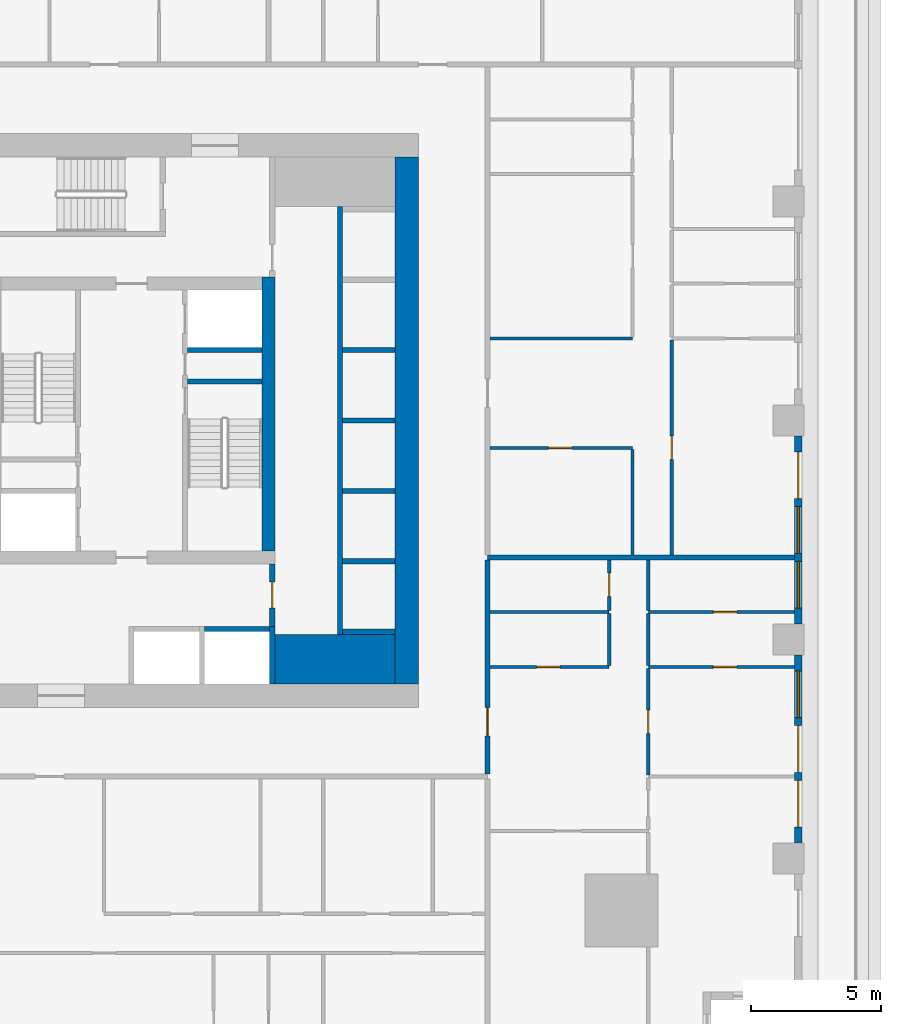
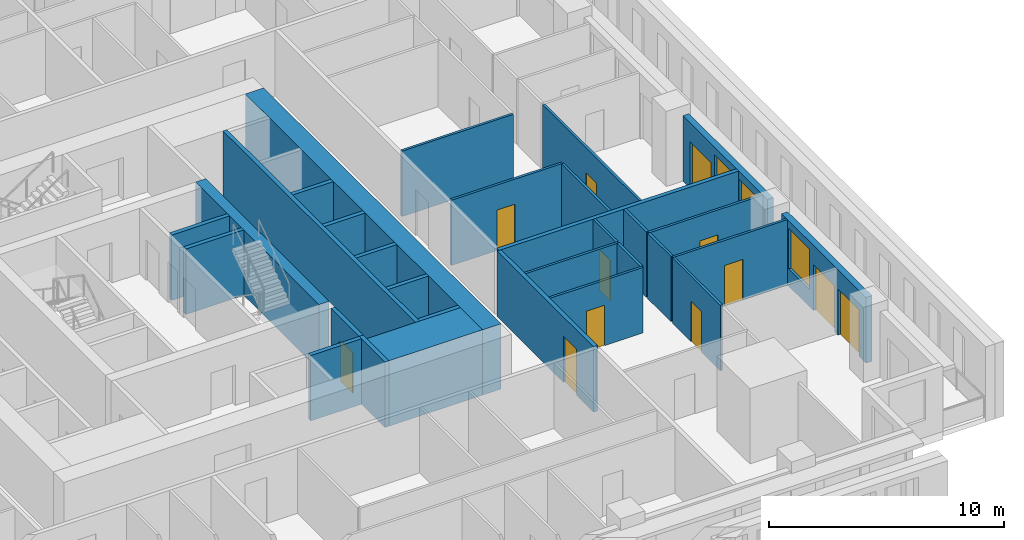
# One storey, part 5 of 14: 31 walls, 12 doors, 3 windows, 15 openings.
"""IFC4 building model written with IfcOpenShell, lengths in metres."""

from ifc_helpers import new_model, si_unit, direction, frame, frame_2d, origin, place, context, subcontext, project, spatial, rectangle, extrude, material, layer, layer_set, type_object, element, fill, save


model = new_model("IFC4")

# Units and contexts
model_context = context("Model", 3, precision=1e-05, world=origin(), true_north=direction((0.0, 1.0)))
body_context = subcontext(model_context, "Body", "Model", "MODEL_VIEW")
ifc_project = project(units=[si_unit("LENGTHUNIT", "METRE"), si_unit("AREAUNIT", "SQUARE_METRE"), si_unit("VOLUMEUNIT", "CUBIC_METRE"), si_unit("PLANEANGLEUNIT", "RADIAN"), si_unit("MASSUNIT", "GRAM", prefix="KILO")], contexts=[model_context])

# Site, building, storey
site_placement = place(None, origin())
site = spatial("IfcSite", under=ifc_project, at=site_placement, CompositionType="ELEMENT")
building_placement = place(site_placement, origin())
building = spatial("IfcBuilding", under=site, at=building_placement, Name="Khepri Terraces", CompositionType="ELEMENT")
storey_placement = place(building_placement, frame((0.0, 0.0, 122.10009765625)))
storey = spatial("IfcBuildingStorey", under=building, at=storey_placement, Name="L29", CompositionType="ELEMENT", Elevation=122.10009765625)

# Walls
ifc_material_1 = material(Name="Concrete C70/85", Category="concrete")
ifc_layer_1 = layer(ifc_material_1, 1.89990234375, Name="Concrete C70/85", Category="concrete")
ifc_layer_set_1 = layer_set([ifc_layer_1], Name="Concrete C70/85")
wall_type_1 = type_object("IfcWallType", Name="Core wall 1900 C70/85", PredefinedType="SHEAR", material=ifc_layer_set_1)
wall_1_placement = place(storey_placement, frame((5.5, -9.14990234375, 0.0), z_axis=(0.0, 0.0, 1.0), x_axis=(1.0, 0.0, 0.0)))
element("IfcWall", 1, at=wall_1_placement, inside=storey, type_object=wall_type_1, Name="Core wall PR02 L29", PredefinedType="SHEAR", context=body_context, shape_type="SweptSolid", body=[
    extrude(rectangle(XDim=4.60009765625, YDim=1.89990234375, at=frame_2d((2.300048828125, 0.0))), origin(), (0.0, 0.0, 1.0), 3.39990234375),
])
ifc_layer_2 = layer(ifc_material_1, 0.199951171875, Name="Concrete C70/85", Category="concrete")
ifc_layer_set_2 = layer_set([ifc_layer_2], Name="Concrete C70/85")
wall_type_2 = type_object("IfcWallType", Name="Core wall 200 C70/85", PredefinedType="SHEAR", material=ifc_layer_set_2)
wall_2_placement = place(storey_placement, frame((2.14990234375, 1.5, 0.0), z_axis=(0.0, 0.0, 1.0), x_axis=(1.0, 0.0, 0.0)))
element("IfcWall", 2, at=wall_2_placement, inside=storey, type_object=wall_type_2, Name="Core wall ST04 L29", PredefinedType="SHEAR", context=body_context, shape_type="SweptSolid", body=[
    extrude(rectangle(XDim=2.85009765625, YDim=0.199951171875, at=frame_2d((1.425048828125, 0.0))), origin(), (0.0, 0.0, 1.0), 3.39990234375),
])
wall_3_placement = place(storey_placement, frame((5.39990234375, -10.10009765625, 0.0), z_axis=(0.0, 0.0, 1.0), x_axis=(0.0, 1.0, 0.0)))
element("IfcWall", 3, at=wall_3_placement, inside=storey, type_object=wall_type_2, Name="Core wall SH03 L29", PredefinedType="SHEAR", context=body_context, shape_type="SweptSolid", body=[
    extrude(rectangle(XDim=2.2001953125, YDim=0.199951171875, at=frame_2d((1.10009765625, 0.0))), origin(), (0.0, 0.0, 1.0), 3.39990234375),
])
wall_4_placement = place(storey_placement, frame((8.0, -8.199951171875, 0.0), z_axis=(0.0, 0.0, 1.0), x_axis=(0.0, 1.0, 0.0)))
element("IfcWall", 4, at=wall_4_placement, inside=storey, type_object=wall_type_2, Name="Core wall SH05 L29", PredefinedType="SHEAR", context=body_context, shape_type="SweptSolid", body=[
    extrude(rectangle(XDim=16.39990234375, YDim=0.199951171875, at=frame_2d((8.199951171875, 0.0))), origin(), (0.0, 0.0, 1.0), 3.39990234375),
])
wall_5_placement = place(storey_placement, frame((8.10009765625, -8.10009765625, 0.0), z_axis=(0.0, 0.0, 1.0), x_axis=(1.0, 0.0, 0.0)))
element("IfcWall", 5, at=wall_5_placement, inside=storey, type_object=wall_type_2, Name="Core wall SH06 L29", PredefinedType="SHEAR", context=body_context, shape_type="SweptSolid", body=[
    extrude(rectangle(XDim=2.0, YDim=0.199951171875, at=frame_2d((1.0, 0.0))), origin(), (0.0, 0.0, 1.0), 3.39990234375),
])
wall_6_placement = place(storey_placement, frame((2.800048828125, -8.0, 0.0), z_axis=(0.0, 0.0, 1.0), x_axis=(1.0, 0.0, 0.0)))
element("IfcWall", 6, at=wall_6_placement, inside=storey, type_object=wall_type_2, Name="Core wall SH08 L29", PredefinedType="SHEAR", context=body_context, shape_type="SweptSolid", body=[
    extrude(rectangle(XDim=2.5, YDim=0.199951171875, at=frame_2d((1.25, 0.0))), origin(), (0.0, 0.0, 1.0), 3.39990234375),
])
for number, where, z_axis, x_axis, name in (
    (7, (8.10009765625, -5.39990234375, 0.0), (0.0, 0.0, 1.0), (1.0, 0.0, 0.0), "Core wall SH11 L29"),
    (8, (8.10009765625, -2.699951171875, 0.0), (0.0, 0.0, 1.0), (1.0, 0.0, 0.0), "Core wall SH15 L29"),
    (9, (8.10009765625, 0.0, 0.0), (0.0, 0.0, 1.0), (1.0, 0.0, 0.0), "Core wall SH17 L29"),
):
    element("IfcWall", number, at=place(storey_placement, frame(where, z_axis=z_axis, x_axis=x_axis)), inside=storey, type_object=wall_type_2, Name=name, PredefinedType="SHEAR", context=body_context, shape_type="SweptSolid", body=[
        extrude(rectangle(XDim=2.0, YDim=0.199951171875, at=frame_2d((1.0, 0.0))), origin(), (0.0, 0.0, 1.0), 3.39990234375),
    ])
wall_7_placement = place(storey_placement, frame((2.14990234375, 2.699951171875, 0.0), z_axis=(0.0, 0.0, 1.0), x_axis=(1.0, 0.0, 0.0)))
element("IfcWall", 10, at=wall_7_placement, inside=storey, type_object=wall_type_2, Name="Core wall SH20 L29", PredefinedType="SHEAR", context=body_context, shape_type="SweptSolid", body=[
    extrude(rectangle(XDim=2.85009765625, YDim=0.199951171875, at=frame_2d((1.425048828125, 0.0))), origin(), (0.0, 0.0, 1.0), 3.39990234375),
])
wall_8_placement = place(storey_placement, frame((8.10009765625, 2.699951171875, 0.0), z_axis=(0.0, 0.0, 1.0), x_axis=(1.0, 0.0, 0.0)))
element("IfcWall", 11, at=wall_8_placement, inside=storey, type_object=wall_type_2, Name="Core wall SH21 L29", PredefinedType="SHEAR", context=body_context, shape_type="SweptSolid", body=[
    extrude(rectangle(XDim=2.0, YDim=0.199951171875, at=frame_2d((1.0, 0.0))), origin(), (0.0, 0.0, 1.0), 3.39990234375),
])
ifc_layer_3 = layer(ifc_material_1, 0.5, Name="Concrete C70/85", Category="concrete")
ifc_layer_set_3 = layer_set([ifc_layer_3], Name="Concrete C70/85")
wall_type_3 = type_object("IfcWallType", Name="Core wall 500 C70/85", PredefinedType="SHEAR", material=ifc_layer_set_3)
wall_9_placement = place(storey_placement, frame((5.25, -5.0, 0.0), z_axis=(0.0, 0.0, 1.0), x_axis=(0.0, 1.0, 0.0)))
element("IfcWall", 12, at=wall_9_placement, inside=storey, type_object=wall_type_3, Name="Core wall BX03 L29", PredefinedType="SHEAR", context=body_context, shape_type="SweptSolid", body=[
    extrude(rectangle(XDim=10.5, YDim=0.5, at=frame_2d((5.25, 0.0))), origin(), (0.0, 0.0, 1.0), 3.39990234375),
])
ifc_layer_4 = layer(ifc_material_1, 0.89990234375, Name="Concrete C70/85", Category="concrete")
ifc_layer_set_4 = layer_set([ifc_layer_4], Name="Concrete C70/85")
wall_type_4 = type_object("IfcWallType", Name="Core wall 900 C70/85", PredefinedType="SHEAR", material=ifc_layer_set_4)
wall_10_placement = place(storey_placement, frame((10.550048828125, -10.10009765625, 0.0), z_axis=(0.0, 0.0, 1.0), x_axis=(0.0, 1.0, 0.0)))
element("IfcWall", 13, at=wall_10_placement, inside=storey, type_object=wall_type_4, Name="Core wall OW-E L29", PredefinedType="SHEAR", context=body_context, shape_type="SweptSolid", body=[
    extrude(rectangle(XDim=20.2001953125, YDim=0.89990234375, at=frame_2d((10.10009765625, 0.0))), origin(), (0.0, 0.0, 1.0), 3.39990234375),
])

# Wall, opening, door
ifc_material_2 = material(Name="Fire-rated gypsum board partition")
ifc_layer_5 = layer(ifc_material_2, 0.199951171875, Name="Fire-rated gypsum board partition")
ifc_layer_set_5 = layer_set([ifc_layer_5], Name="Fire-rated gypsum board partition")
wall_type_5 = type_object("IfcWallType", Name="WL-CORE-PART-200", PredefinedType="PARTITIONING", material=ifc_layer_set_5)
wall_11_placement = place(storey_placement, frame((5.39990234375, -7.89990234375, 0.0), z_axis=(0.0, 0.0, 1.0), x_axis=(0.0, 1.0, 0.0)))
wall_11 = element("IfcWall", 14, at=wall_11_placement, inside=storey, type_object=wall_type_5, Name="Core partition PT02 L29", PredefinedType="PARTITIONING", context=body_context, shape_type="SweptSolid", body=[
    extrude(rectangle(XDim=2.39990234375, YDim=0.199951171875, at=frame_2d((1.199951171875, 0.0))), origin(), (0.0, 0.0, 1.0), 3.39990234375),
])
opening_1_placement = place(wall_11_placement, frame((0.699951171875, 0.0, 0.0)))
opening_1 = element("IfcOpeningElement", 15, at=opening_1_placement, cuts=wall_11, Name="Opening L29-C19", PredefinedType="OPENING", context=body_context, shape_type="SweptSolid", body=[
    extrude(rectangle(XDim=1.0, YDim=2.10009765625, at=frame_2d((0.5, 1.050048828125))), frame((0.0, 0.10986328125, 0.0), z_axis=(0.0, -1.0, 0.0), x_axis=(1.0, 0.0, 0.0)), (0.0, 0.0, 1.0), 0.219970703125),
])
ifc_material_3 = material(Name="Painted steel", Category="steel")
door_type_1 = type_object("IfcDoorType", Name="DR-CORE-LOBBY-1000", OperationType="NOTDEFINED", PredefinedType="DOOR", material=ifc_material_3)
door_1_placement = place(opening_1_placement, origin())
door_1 = element("IfcDoor", 16, at=door_1_placement, inside=storey, type_object=door_type_1, Name="Lobby door L29-C19", OperationType="SINGLE_SWING_RIGHT", OverallHeight=2.10009765625, OverallWidth=1.0, PredefinedType="DOOR", context=body_context, shape_type="SweptSolid", body=[
    extrude(rectangle(XDim=1.0, YDim=2.10009765625, at=frame_2d((0.5, 1.050048828125))), frame((0.0, 0.02490234375, 0.0), z_axis=(0.0, -1.0, 0.0), x_axis=(1.0, 0.0, 0.0)), (0.0, 0.0, 1.0), 0.050048828125),
])
fill(opening_1, door_1)

ifc_material_4 = material(Name="Fire-rated gypsum plasterboard partition, mineral wool")
ifc_layer_6 = layer(ifc_material_4, 0.199951171875, Name="Fire-rated gypsum plasterboard partition, mineral wool")
ifc_layer_set_6 = layer_set([ifc_layer_6], Name="Fire-rated gypsum plasterboard partition, mineral wool")
wall_type_6 = type_object("IfcWallType", Name="WL-CORR-200", PredefinedType="PARTITIONING", material=ifc_layer_set_6)
wall_12_placement = place(storey_placement, frame((13.64990234375, -13.550048828125, 0.0), z_axis=(0.0, 0.0, 1.0), x_axis=(0.0, 1.0, 0.0)))
wall_12 = element("IfcWall", 17, at=wall_12_placement, inside=storey, type_object=wall_type_6, Name="Partition P-029 L29", PredefinedType="PARTITIONING", context=body_context, shape_type="SweptSolid", body=[
    extrude(rectangle(XDim=8.199951171875, YDim=0.199951171875, at=frame_2d((4.10009765625, 0.0))), origin(), (0.0, 0.0, 1.0), 3.39990234375),
])
opening_2_placement = place(wall_12_placement, frame((1.449951171875, 0.0, 0.0)))
opening_2 = element("IfcOpeningElement", 18, at=opening_2_placement, cuts=wall_12, Name="Opening D1", PredefinedType="OPENING", context=body_context, shape_type="SweptSolid", body=[
    extrude(rectangle(XDim=1.10009765625, YDim=2.39990234375, at=frame_2d((0.550048828125, 1.199951171875))), frame((0.0, 0.10986328125, 0.0), z_axis=(0.0, -1.0, 0.0), x_axis=(1.0, 0.0, 0.0)), (0.0, 0.0, 1.0), 0.219970703125),
])
ifc_material_5 = material(Name="Solid-core timber door leaf, flat entrance door", Category="wood")
door_type_2 = type_object("IfcDoorType", Name="DR-ENT-1100", OperationType="NOTDEFINED", PredefinedType="DOOR", material=ifc_material_5)
door_2_placement = place(opening_2_placement, frame((1.10009765625, 0.0, 0.0), z_axis=(0.0, 0.0, 1.0), x_axis=(-1.0, 0.0, 0.0)))
door_2 = element("IfcDoor", 19, at=door_2_placement, inside=storey, type_object=door_type_2, Name="Flat B1 entrance door", OperationType="SINGLE_SWING_RIGHT", OverallHeight=2.39990234375, OverallWidth=1.10009765625, PredefinedType="DOOR", context=body_context, shape_type="SweptSolid", body=[
    extrude(rectangle(XDim=1.10009765625, YDim=2.39990234375, at=frame_2d((0.550048828125, 1.199951171875))), frame((0.0, 0.02490234375, 0.0), z_axis=(0.0, -1.0, 0.0), x_axis=(1.0, 0.0, 0.0)), (0.0, 0.0, 1.0), 0.050048828125),
])
fill(opening_2, door_2)

# Wall
wall_13_placement = place(storey_placement, frame((13.64990234375, -5.25, 0.0), z_axis=(0.0, 0.0, 1.0), x_axis=(1.0, 0.0, 0.0)))
element("IfcWall", 20, at=wall_13_placement, inside=storey, type_object=wall_type_6, Name="Partition P-042 L29", PredefinedType="PARTITIONING", context=body_context, shape_type="SweptSolid", body=[
    extrude(rectangle(XDim=11.77001953125, YDim=0.199951171875, at=frame_2d((5.885009765625, 0.0))), origin(), (0.0, 0.0, 1.0), 3.39990234375),
])

# Wall, openings, doors, window
ifc_material_6 = material(Name="Precast concrete C50/60 warm stone", Category="masonry")
ifc_layer_7 = layer(ifc_material_6, 0.300048828125, Name="Precast concrete C50/60 warm stone", Category="masonry")
ifc_layer_set_7 = layer_set([ifc_layer_7], Name="Precast concrete C50/60 warm stone")
wall_type_7 = type_object("IfcWallType", Name="WL-EXT-PRECAST-300", PredefinedType="STANDARD", material=ifc_layer_set_7)
wall_14_placement = place(storey_placement, frame((25.570068359375, -16.199951171875, 0.0), z_axis=(0.0, 0.0, 1.0), x_axis=(0.0, 1.0, 0.0)))
wall_14 = element("IfcWall", 21, at=wall_14_placement, inside=storey, type_object=wall_type_7, Name="External wall L29 E", PredefinedType="STANDARD", context=body_context, shape_type="SweptSolid", body=[
    extrude(rectangle(XDim=7.199951171875, YDim=0.300048828125, at=frame_2d((3.60009765625, 0.0))), origin(), (0.0, 0.0, 1.0), 3.39990234375),
])
opening_3_placement = place(wall_14_placement, frame((0.60009765625, 0.0, 0.0)))
opening_3 = element("IfcOpeningElement", 22, at=opening_3_placement, cuts=wall_14, Name="Opening ED-L29-02", PredefinedType="OPENING", context=body_context, shape_type="SweptSolid", body=[
    extrude(rectangle(XDim=1.800048828125, YDim=2.39990234375, at=frame_2d((0.89990234375, 1.199951171875))), frame((0.0, 0.16015625, 0.0), z_axis=(0.0, -1.0, 0.0), x_axis=(1.0, 0.0, 0.0)), (0.0, 0.0, 1.0), 0.320068359375),
])
opening_4_placement = place(wall_14_placement, frame((2.699951171875, 0.0, 0.0)))
opening_4 = element("IfcOpeningElement", 23, at=opening_4_placement, cuts=wall_14, Name="Opening ED-L29-03", PredefinedType="OPENING", context=body_context, shape_type="SweptSolid", body=[
    extrude(rectangle(XDim=1.800048828125, YDim=2.39990234375, at=frame_2d((0.89990234375, 1.199951171875))), frame((0.0, 0.16015625, 0.0), z_axis=(0.0, -1.0, 0.0), x_axis=(1.0, 0.0, 0.0)), (0.0, 0.0, 1.0), 0.320068359375),
])
opening_5_placement = place(wall_14_placement, frame((4.800048828125, 0.0, 0.89990234375)))
opening_5 = element("IfcOpeningElement", 24, at=opening_5_placement, cuts=wall_14, Name="Opening W1", PredefinedType="OPENING", context=body_context, shape_type="SweptSolid", body=[
    extrude(rectangle(XDim=1.800048828125, YDim=2.10009765625, at=frame_2d((0.89990234375, 1.050048828125))), frame((0.0, 0.16015625, 0.0), z_axis=(0.0, -1.0, 0.0), x_axis=(1.0, 0.0, 0.0)), (0.0, 0.0, 1.0), 0.320068359375),
])
ifc_material_7 = material(Name="Anodised aluminium bronze glazed door", Category="aluminium")
door_type_3 = type_object("IfcDoorType", Name="DR-BAL-SLIDE-1800x2400", OperationType="NOTDEFINED", PredefinedType="DOOR", material=ifc_material_7)
door_3_placement = place(opening_3_placement, origin())
door_3 = element("IfcDoor", 25, at=door_3_placement, inside=storey, type_object=door_type_3, Name="Balcony door L29 E", OperationType="SLIDING_TO_LEFT", OverallHeight=2.39990234375, OverallWidth=1.800048828125, PredefinedType="DOOR", context=body_context, shape_type="SweptSolid", body=[
    extrude(rectangle(XDim=1.800048828125, YDim=2.39990234375, at=frame_2d((0.89990234375, 1.199951171875))), frame((0.0, 0.02490234375, 0.0), z_axis=(0.0, -1.0, 0.0), x_axis=(1.0, 0.0, 0.0)), (0.0, 0.0, 1.0), 0.050048828125),
])
fill(opening_3, door_3)
door_4_placement = place(opening_4_placement, origin())
door_4 = element("IfcDoor", 26, at=door_4_placement, inside=storey, type_object=door_type_3, Name="Balcony door L29 E", OperationType="SLIDING_TO_RIGHT", OverallHeight=2.39990234375, OverallWidth=1.800048828125, PredefinedType="DOOR", context=body_context, shape_type="SweptSolid", body=[
    extrude(rectangle(XDim=1.800048828125, YDim=2.39990234375, at=frame_2d((0.89990234375, 1.199951171875))), frame((0.0, 0.02490234375, 0.0), z_axis=(0.0, -1.0, 0.0), x_axis=(1.0, 0.0, 0.0)), (0.0, 0.0, 1.0), 0.050048828125),
])
fill(opening_4, door_4)
ifc_material_8 = material(Name="Clear glass", Category="glass")
window_type = type_object("IfcWindowType", Name="WIN-RES-1800x2100", PartitioningType="SINGLE_PANEL", PredefinedType="WINDOW", material=ifc_material_8)
window_1_placement = place(opening_5_placement, origin())
window_1 = element("IfcWindow", 27, at=window_1_placement, inside=storey, type_object=window_type, Name="Window L29 E", OverallHeight=2.10009765625, OverallWidth=1.800048828125, PartitioningType="SINGLE_PANEL", PredefinedType="WINDOW", context=body_context, shape_type="SweptSolid", body=[
    extrude(rectangle(XDim=1.800048828125, YDim=2.10009765625, at=frame_2d((0.89990234375, 1.050048828125))), frame((0.0, 0.030029296875, 0.0), z_axis=(0.0, -1.0, 0.0), x_axis=(1.0, 0.0, 0.0)), (0.0, 0.0, 1.0), 0.06005859375),
])
fill(opening_5, window_1)

# Wall, openings, door, windows
wall_15_placement = place(storey_placement, frame((25.570068359375, -7.800048828125, 0.0), z_axis=(0.0, 0.0, 1.0), x_axis=(0.0, 1.0, 0.0)))
wall_15 = element("IfcWall", 28, at=wall_15_placement, inside=storey, type_object=wall_type_7, Name="External wall L29 E", PredefinedType="STANDARD", context=body_context, shape_type="SweptSolid", body=[
    extrude(rectangle(XDim=7.199951171875, YDim=0.300048828125, at=frame_2d((3.60009765625, 0.0))), origin(), (0.0, 0.0, 1.0), 3.39990234375),
])
opening_6_placement = place(wall_15_placement, frame((0.60009765625, 0.0, 0.89990234375)))
opening_6 = element("IfcOpeningElement", 29, at=opening_6_placement, cuts=wall_15, Name="Opening W1", PredefinedType="OPENING", context=body_context, shape_type="SweptSolid", body=[
    extrude(rectangle(XDim=1.800048828125, YDim=2.10009765625, at=frame_2d((0.89990234375, 1.050048828125))), frame((0.0, 0.16015625, 0.0), z_axis=(0.0, -1.0, 0.0), x_axis=(1.0, 0.0, 0.0)), (0.0, 0.0, 1.0), 0.320068359375),
])
opening_7_placement = place(wall_15_placement, frame((2.699951171875, 0.0, 0.89990234375)))
opening_7 = element("IfcOpeningElement", 30, at=opening_7_placement, cuts=wall_15, Name="Opening W1", PredefinedType="OPENING", context=body_context, shape_type="SweptSolid", body=[
    extrude(rectangle(XDim=1.800048828125, YDim=2.10009765625, at=frame_2d((0.89990234375, 1.050048828125))), frame((0.0, 0.16015625, 0.0), z_axis=(0.0, -1.0, 0.0), x_axis=(1.0, 0.0, 0.0)), (0.0, 0.0, 1.0), 0.320068359375),
])
opening_8_placement = place(wall_15_placement, frame((4.800048828125, 0.0, 0.0)))
opening_8 = element("IfcOpeningElement", 31, at=opening_8_placement, cuts=wall_15, Name="Opening ED-L29-04", PredefinedType="OPENING", context=body_context, shape_type="SweptSolid", body=[
    extrude(rectangle(XDim=1.800048828125, YDim=2.39990234375, at=frame_2d((0.89990234375, 1.199951171875))), frame((0.0, 0.16015625, 0.0), z_axis=(0.0, -1.0, 0.0), x_axis=(1.0, 0.0, 0.0)), (0.0, 0.0, 1.0), 0.320068359375),
])
door_5_placement = place(opening_8_placement, origin())
door_5 = element("IfcDoor", 32, at=door_5_placement, inside=storey, type_object=door_type_3, Name="Balcony door L29 E", OperationType="SLIDING_TO_RIGHT", OverallHeight=2.39990234375, OverallWidth=1.800048828125, PredefinedType="DOOR", context=body_context, shape_type="SweptSolid", body=[
    extrude(rectangle(XDim=1.800048828125, YDim=2.39990234375, at=frame_2d((0.89990234375, 1.199951171875))), frame((0.0, 0.02490234375, 0.0), z_axis=(0.0, -1.0, 0.0), x_axis=(1.0, 0.0, 0.0)), (0.0, 0.0, 1.0), 0.050048828125),
])
fill(opening_8, door_5)
window_2_placement = place(opening_6_placement, origin())
window_2 = element("IfcWindow", 33, at=window_2_placement, inside=storey, type_object=window_type, Name="Window L29 E", OverallHeight=2.10009765625, OverallWidth=1.800048828125, PartitioningType="SINGLE_PANEL", PredefinedType="WINDOW", context=body_context, shape_type="SweptSolid", body=[
    extrude(rectangle(XDim=1.800048828125, YDim=2.10009765625, at=frame_2d((0.89990234375, 1.050048828125))), frame((0.0, 0.030029296875, 0.0), z_axis=(0.0, -1.0, 0.0), x_axis=(1.0, 0.0, 0.0)), (0.0, 0.0, 1.0), 0.06005859375),
])
fill(opening_6, window_2)
window_3_placement = place(opening_7_placement, origin())
window_3 = element("IfcWindow", 34, at=window_3_placement, inside=storey, type_object=window_type, Name="Window L29 E", OverallHeight=2.10009765625, OverallWidth=1.800048828125, PartitioningType="SINGLE_PANEL", PredefinedType="WINDOW", context=body_context, shape_type="SweptSolid", body=[
    extrude(rectangle(XDim=1.800048828125, YDim=2.10009765625, at=frame_2d((0.89990234375, 1.050048828125))), frame((0.0, 0.030029296875, 0.0), z_axis=(0.0, -1.0, 0.0), x_axis=(1.0, 0.0, 0.0)), (0.0, 0.0, 1.0), 0.06005859375),
])
fill(opening_7, window_3)

# Wall, opening, door
ifc_material_9 = material(Name="Gypsum plasterboard partition")
ifc_layer_8 = layer(ifc_material_9, 0.1201171875, Name="Gypsum plasterboard partition")
ifc_layer_set_8 = layer_set([ifc_layer_8], Name="Gypsum plasterboard partition")
wall_type_8 = type_object("IfcWallType", Name="WL-PART-120", PredefinedType="PARTITIONING", material=ifc_layer_set_8)
wall_16_placement = place(storey_placement, frame((19.820068359375, -13.590087890625, 0.0), z_axis=(0.0, 0.0, 1.0), x_axis=(0.0, 1.0, 0.0)))
wall_16 = element("IfcWall", 35, at=wall_16_placement, inside=storey, type_object=wall_type_8, Name="Partition P-026 L29", PredefinedType="PARTITIONING", context=body_context, shape_type="SweptSolid", body=[
    extrude(rectangle(XDim=4.080078125, YDim=0.1201171875, at=frame_2d((2.0400390625, 0.0))), origin(), (0.0, 0.0, 1.0), 3.39990234375),
])
opening_9_placement = place(wall_16_placement, frame((1.590087890625, 0.0, 0.0)))
opening_9 = element("IfcOpeningElement", 36, at=opening_9_placement, cuts=wall_16, Name="Opening D3", PredefinedType="OPENING", context=body_context, shape_type="SweptSolid", body=[
    extrude(rectangle(XDim=0.89990234375, YDim=2.10009765625, at=frame_2d((0.449951171875, 1.050048828125))), frame((0.0, 0.070068359375, 0.0), z_axis=(0.0, -1.0, 0.0), x_axis=(1.0, 0.0, 0.0)), (0.0, 0.0, 1.0), 0.14013671875),
])
ifc_material_10 = material(Name="Timber door leaf", Category="wood")
door_type_4 = type_object("IfcDoorType", Name="DR-INT-900", OperationType="NOTDEFINED", PredefinedType="DOOR", material=ifc_material_10)
door_6_placement = place(opening_9_placement, frame((0.89990234375, 0.0, 0.0), z_axis=(0.0, 0.0, 1.0), x_axis=(-1.0, 0.0, 0.0)))
door_6 = element("IfcDoor", 37, at=door_6_placement, inside=storey, type_object=door_type_4, Name="Door Master Bedroom", OperationType="SINGLE_SWING_RIGHT", OverallHeight=2.10009765625, OverallWidth=0.89990234375, PredefinedType="DOOR", context=body_context, shape_type="SweptSolid", body=[
    extrude(rectangle(XDim=0.89990234375, YDim=2.10009765625, at=frame_2d((0.449951171875, 1.050048828125))), frame((0.0, 0.02490234375, 0.0), z_axis=(0.0, -1.0, 0.0), x_axis=(1.0, 0.0, 0.0)), (0.0, 0.0, 1.0), 0.050048828125),
])
fill(opening_9, door_6)

wall_17_placement = place(storey_placement, frame((13.75, -9.449951171875, 0.0), z_axis=(0.0, 0.0, 1.0), x_axis=(1.0, 0.0, 0.0)))
wall_17 = element("IfcWall", 38, at=wall_17_placement, inside=storey, type_object=wall_type_8, Name="Partition P-033 L29", PredefinedType="PARTITIONING", context=body_context, shape_type="SweptSolid", body=[
    extrude(rectangle(XDim=4.570068359375, YDim=0.1201171875, at=frame_2d((2.28515625, 0.0))), origin(), (0.0, 0.0, 1.0), 3.39990234375),
])
opening_10_placement = place(wall_17_placement, frame((1.784912109375, 0.0, 0.0)))
opening_10 = element("IfcOpeningElement", 39, at=opening_10_placement, cuts=wall_17, Name="Opening D4", PredefinedType="OPENING", context=body_context, shape_type="SweptSolid", body=[
    extrude(rectangle(XDim=0.89990234375, YDim=2.10009765625, at=frame_2d((0.449951171875, 1.050048828125))), frame((0.0, 0.070068359375, 0.0), z_axis=(0.0, -1.0, 0.0), x_axis=(1.0, 0.0, 0.0)), (0.0, 0.0, 1.0), 0.14013671875),
])
ifc_material_11 = material(Name="Timber door leaf, moisture resistant", Category="wood")
door_type_5 = type_object("IfcDoorType", Name="DR-WET-900", OperationType="NOTDEFINED", PredefinedType="DOOR", material=ifc_material_11)
door_7_placement = place(opening_10_placement, origin())
door_7 = element("IfcDoor", 40, at=door_7_placement, inside=storey, type_object=door_type_5, Name="Door Guest Bathroom", OperationType="SINGLE_SWING_LEFT", OverallHeight=2.10009765625, OverallWidth=0.89990234375, PredefinedType="DOOR", context=body_context, shape_type="SweptSolid", body=[
    extrude(rectangle(XDim=0.89990234375, YDim=2.10009765625, at=frame_2d((0.449951171875, 1.050048828125))), frame((0.0, 0.02490234375, 0.0), z_axis=(0.0, -1.0, 0.0), x_axis=(1.0, 0.0, 0.0)), (0.0, 0.0, 1.0), 0.050048828125),
])
fill(opening_10, door_7)

wall_18_placement = place(storey_placement, frame((19.820068359375, -9.449951171875, 0.0), z_axis=(0.0, 0.0, 1.0), x_axis=(1.0, 0.0, 0.0)))
wall_18 = element("IfcWall", 41, at=wall_18_placement, inside=storey, type_object=wall_type_8, Name="Partition P-034 L29", PredefinedType="PARTITIONING", context=body_context, shape_type="SweptSolid", body=[
    extrude(rectangle(XDim=5.599853515625, YDim=0.1201171875, at=frame_2d((2.7998046875, 0.0))), origin(), (0.0, 0.0, 1.0), 3.39990234375),
])
opening_11_placement = place(wall_18_placement, frame((2.5, 0.0, 0.0)))
opening_11 = element("IfcOpeningElement", 42, at=opening_11_placement, cuts=wall_18, Name="Opening D3", PredefinedType="OPENING", context=body_context, shape_type="SweptSolid", body=[
    extrude(rectangle(XDim=0.89990234375, YDim=2.10009765625, at=frame_2d((0.449951171875, 1.050048828125))), frame((0.0, 0.070068359375, 0.0), z_axis=(0.0, -1.0, 0.0), x_axis=(1.0, 0.0, 0.0)), (0.0, 0.0, 1.0), 0.14013671875),
])
door_8_placement = place(opening_11_placement, origin())
door_8 = element("IfcDoor", 43, at=door_8_placement, inside=storey, type_object=door_type_4, Name="Door Dressing Room", OperationType="SINGLE_SWING_RIGHT", OverallHeight=2.10009765625, OverallWidth=0.89990234375, PredefinedType="DOOR", context=body_context, shape_type="SweptSolid", body=[
    extrude(rectangle(XDim=0.89990234375, YDim=2.10009765625, at=frame_2d((0.449951171875, 1.050048828125))), frame((0.0, 0.02490234375, 0.0), z_axis=(0.0, -1.0, 0.0), x_axis=(1.0, 0.0, 0.0)), (0.0, 0.0, 1.0), 0.050048828125),
])
fill(opening_11, door_8)

# Walls
for number, where, z_axis, x_axis, name in (
    (44, (18.320068359375, -9.389892578125, 0.0), (0.0, 0.0, 1.0), (0.0, 1.0, 0.0), "Partition P-036 L29"),
    (45, (19.820068359375, -9.389892578125, 0.0), (0.0, 0.0, 1.0), (0.0, 1.0, 0.0), "Partition P-037 L29"),
):
    element("IfcWall", number, at=place(storey_placement, frame(where, z_axis=z_axis, x_axis=x_axis)), inside=storey, type_object=wall_type_8, Name=name, PredefinedType="PARTITIONING", context=body_context, shape_type="SweptSolid", body=[
        extrude(rectangle(XDim=1.97998046875, YDim=0.1201171875, at=frame_2d((0.989990234375, 0.0))), origin(), (0.0, 0.0, 1.0), 3.39990234375),
    ])
wall_19_placement = place(storey_placement, frame((13.75, -7.35009765625, 0.0), z_axis=(0.0, 0.0, 1.0), x_axis=(1.0, 0.0, 0.0)))
element("IfcWall", 46, at=wall_19_placement, inside=storey, type_object=wall_type_8, Name="Partition P-038 L29", PredefinedType="PARTITIONING", context=body_context, shape_type="SweptSolid", body=[
    extrude(rectangle(XDim=4.570068359375, YDim=0.1201171875, at=frame_2d((2.28515625, 0.0))), origin(), (0.0, 0.0, 1.0), 3.39990234375),
])

# Wall, opening, door
wall_20_placement = place(storey_placement, frame((19.820068359375, -7.35009765625, 0.0), z_axis=(0.0, 0.0, 1.0), x_axis=(1.0, 0.0, 0.0)))
wall_20 = element("IfcWall", 47, at=wall_20_placement, inside=storey, type_object=wall_type_8, Name="Partition P-039 L29", PredefinedType="PARTITIONING", context=body_context, shape_type="SweptSolid", body=[
    extrude(rectangle(XDim=5.599853515625, YDim=0.1201171875, at=frame_2d((2.7998046875, 0.0))), origin(), (0.0, 0.0, 1.0), 3.39990234375),
])
opening_12_placement = place(wall_20_placement, frame((2.5, 0.0, 0.0)))
opening_12 = element("IfcOpeningElement", 48, at=opening_12_placement, cuts=wall_20, Name="Opening D4", PredefinedType="OPENING", context=body_context, shape_type="SweptSolid", body=[
    extrude(rectangle(XDim=0.89990234375, YDim=2.10009765625, at=frame_2d((0.449951171875, 1.050048828125))), frame((0.0, 0.070068359375, 0.0), z_axis=(0.0, -1.0, 0.0), x_axis=(1.0, 0.0, 0.0)), (0.0, 0.0, 1.0), 0.14013671875),
])
door_9_placement = place(opening_12_placement, origin())
door_9 = element("IfcDoor", 49, at=door_9_placement, inside=storey, type_object=door_type_5, Name="Door Bathroom", OperationType="SINGLE_SWING_RIGHT", OverallHeight=2.10009765625, OverallWidth=0.89990234375, PredefinedType="DOOR", context=body_context, shape_type="SweptSolid", body=[
    extrude(rectangle(XDim=0.89990234375, YDim=2.10009765625, at=frame_2d((0.449951171875, 1.050048828125))), frame((0.0, 0.02490234375, 0.0), z_axis=(0.0, -1.0, 0.0), x_axis=(1.0, 0.0, 0.0)), (0.0, 0.0, 1.0), 0.050048828125),
])
fill(opening_12, door_9)

wall_21_placement = place(storey_placement, frame((18.320068359375, -7.2900390625, 0.0), z_axis=(0.0, 0.0, 1.0), x_axis=(0.0, 1.0, 0.0)))
wall_21 = element("IfcWall", 50, at=wall_21_placement, inside=storey, type_object=wall_type_8, Name="Partition P-040 L29", PredefinedType="PARTITIONING", context=body_context, shape_type="SweptSolid", body=[
    extrude(rectangle(XDim=1.93994140625, YDim=0.1201171875, at=frame_2d((0.969970703125, 0.0))), origin(), (0.0, 0.0, 1.0), 3.39990234375),
])
opening_13_placement = place(wall_21_placement, frame((0.5400390625, 0.0, 0.0)))
opening_13 = element("IfcOpeningElement", 51, at=opening_13_placement, cuts=wall_21, Name="Opening D3", PredefinedType="OPENING", context=body_context, shape_type="SweptSolid", body=[
    extrude(rectangle(XDim=0.89990234375, YDim=2.10009765625, at=frame_2d((0.449951171875, 1.050048828125))), frame((0.0, 0.070068359375, 0.0), z_axis=(0.0, -1.0, 0.0), x_axis=(1.0, 0.0, 0.0)), (0.0, 0.0, 1.0), 0.14013671875),
])
door_10_placement = place(opening_13_placement, origin())
door_10 = element("IfcDoor", 52, at=door_10_placement, inside=storey, type_object=door_type_4, Name="Door Kitchen", OperationType="SINGLE_SWING_RIGHT", OverallHeight=2.10009765625, OverallWidth=0.89990234375, PredefinedType="DOOR", context=body_context, shape_type="SweptSolid", body=[
    extrude(rectangle(XDim=0.89990234375, YDim=2.10009765625, at=frame_2d((0.449951171875, 1.050048828125))), frame((0.0, 0.02490234375, 0.0), z_axis=(0.0, -1.0, 0.0), x_axis=(1.0, 0.0, 0.0)), (0.0, 0.0, 1.0), 0.050048828125),
])
fill(opening_13, door_10)

# Walls
wall_22_placement = place(storey_placement, frame((19.820068359375, -7.2900390625, 0.0), z_axis=(0.0, 0.0, 1.0), x_axis=(0.0, 1.0, 0.0)))
element("IfcWall", 53, at=wall_22_placement, inside=storey, type_object=wall_type_8, Name="Partition P-041 L29", PredefinedType="PARTITIONING", context=body_context, shape_type="SweptSolid", body=[
    extrude(rectangle(XDim=1.93994140625, YDim=0.1201171875, at=frame_2d((0.969970703125, 0.0))), origin(), (0.0, 0.0, 1.0), 3.39990234375),
])
wall_23_placement = place(storey_placement, frame((19.219970703125, -5.14990234375, 0.0), z_axis=(0.0, 0.0, 1.0), x_axis=(0.0, 1.0, 0.0)))
element("IfcWall", 54, at=wall_23_placement, inside=storey, type_object=wall_type_8, Name="Partition P-044 L29", PredefinedType="PARTITIONING", context=body_context, shape_type="SweptSolid", body=[
    extrude(rectangle(XDim=4.039794921875, YDim=0.1201171875, at=frame_2d((2.02001953125, 0.0))), origin(), (0.0, 0.0, 1.0), 3.39990234375),
])

# Wall, opening, door
wall_24_placement = place(storey_placement, frame((20.719970703125, -5.14990234375, 0.0), z_axis=(0.0, 0.0, 1.0), x_axis=(0.0, 1.0, 0.0)))
wall_24 = element("IfcWall", 55, at=wall_24_placement, inside=storey, type_object=wall_type_8, Name="Partition P-045 L29", PredefinedType="PARTITIONING", context=body_context, shape_type="SweptSolid", body=[
    extrude(rectangle(XDim=8.239990234375, YDim=0.1201171875, at=frame_2d((4.1201171875, 0.0))), origin(), (0.0, 0.0, 1.0), 3.39990234375),
])
opening_14_placement = place(wall_24_placement, frame((3.64990234375, 0.0, 0.0)))
opening_14 = element("IfcOpeningElement", 56, at=opening_14_placement, cuts=wall_24, Name="Opening D3", PredefinedType="OPENING", context=body_context, shape_type="SweptSolid", body=[
    extrude(rectangle(XDim=0.89990234375, YDim=2.10009765625, at=frame_2d((0.449951171875, 1.050048828125))), frame((0.0, 0.070068359375, 0.0), z_axis=(0.0, -1.0, 0.0), x_axis=(1.0, 0.0, 0.0)), (0.0, 0.0, 1.0), 0.14013671875),
])
door_11_placement = place(opening_14_placement, frame((0.89990234375, 0.0, 0.0), z_axis=(0.0, 0.0, 1.0), x_axis=(-1.0, 0.0, 0.0)))
door_11 = element("IfcDoor", 57, at=door_11_placement, inside=storey, type_object=door_type_4, Name="Door Master Bedroom", OperationType="SINGLE_SWING_RIGHT", OverallHeight=2.10009765625, OverallWidth=0.89990234375, PredefinedType="DOOR", context=body_context, shape_type="SweptSolid", body=[
    extrude(rectangle(XDim=0.89990234375, YDim=2.10009765625, at=frame_2d((0.449951171875, 1.050048828125))), frame((0.0, 0.02490234375, 0.0), z_axis=(0.0, -1.0, 0.0), x_axis=(1.0, 0.0, 0.0)), (0.0, 0.0, 1.0), 0.050048828125),
])
fill(opening_14, door_11)

wall_25_placement = place(storey_placement, frame((13.75, -1.050048828125, 0.0), z_axis=(0.0, 0.0, 1.0), x_axis=(1.0, 0.0, 0.0)))
wall_25 = element("IfcWall", 58, at=wall_25_placement, inside=storey, type_object=wall_type_8, Name="Partition P-047 L29", PredefinedType="PARTITIONING", context=body_context, shape_type="SweptSolid", body=[
    extrude(rectangle(XDim=5.469970703125, YDim=0.1201171875, at=frame_2d((2.73486328125, 0.0))), origin(), (0.0, 0.0, 1.0), 3.39990234375),
])
opening_15_placement = place(wall_25_placement, frame((2.235107421875, 0.0, 0.0)))
opening_15 = element("IfcOpeningElement", 59, at=opening_15_placement, cuts=wall_25, Name="Opening D3", PredefinedType="OPENING", context=body_context, shape_type="SweptSolid", body=[
    extrude(rectangle(XDim=0.89990234375, YDim=2.10009765625, at=frame_2d((0.449951171875, 1.050048828125))), frame((0.0, 0.070068359375, 0.0), z_axis=(0.0, -1.0, 0.0), x_axis=(1.0, 0.0, 0.0)), (0.0, 0.0, 1.0), 0.14013671875),
])
door_12_placement = place(opening_15_placement, frame((0.89990234375, 0.0, 0.0), z_axis=(0.0, 0.0, 1.0), x_axis=(-1.0, 0.0, 0.0)))
door_12 = element("IfcDoor", 60, at=door_12_placement, inside=storey, type_object=door_type_4, Name="Door Utility Room", OperationType="SINGLE_SWING_RIGHT", OverallHeight=2.10009765625, OverallWidth=0.89990234375, PredefinedType="DOOR", context=body_context, shape_type="SweptSolid", body=[
    extrude(rectangle(XDim=0.89990234375, YDim=2.10009765625, at=frame_2d((0.449951171875, 1.050048828125))), frame((0.0, 0.02490234375, 0.0), z_axis=(0.0, -1.0, 0.0), x_axis=(1.0, 0.0, 0.0)), (0.0, 0.0, 1.0), 0.050048828125),
])
fill(opening_15, door_12)

# Wall
wall_26_placement = place(storey_placement, frame((13.75, 3.14990234375, 0.0), z_axis=(0.0, 0.0, 1.0), x_axis=(1.0, 0.0, 0.0)))
element("IfcWall", 61, at=wall_26_placement, inside=storey, type_object=wall_type_8, Name="Partition P-050 L29", PredefinedType="PARTITIONING", context=body_context, shape_type="SweptSolid", body=[
    extrude(rectangle(XDim=5.469970703125, YDim=0.1201171875, at=frame_2d((2.73486328125, 0.0))), origin(), (0.0, 0.0, 1.0), 3.39990234375),
])

save(model, "model.ifc")
